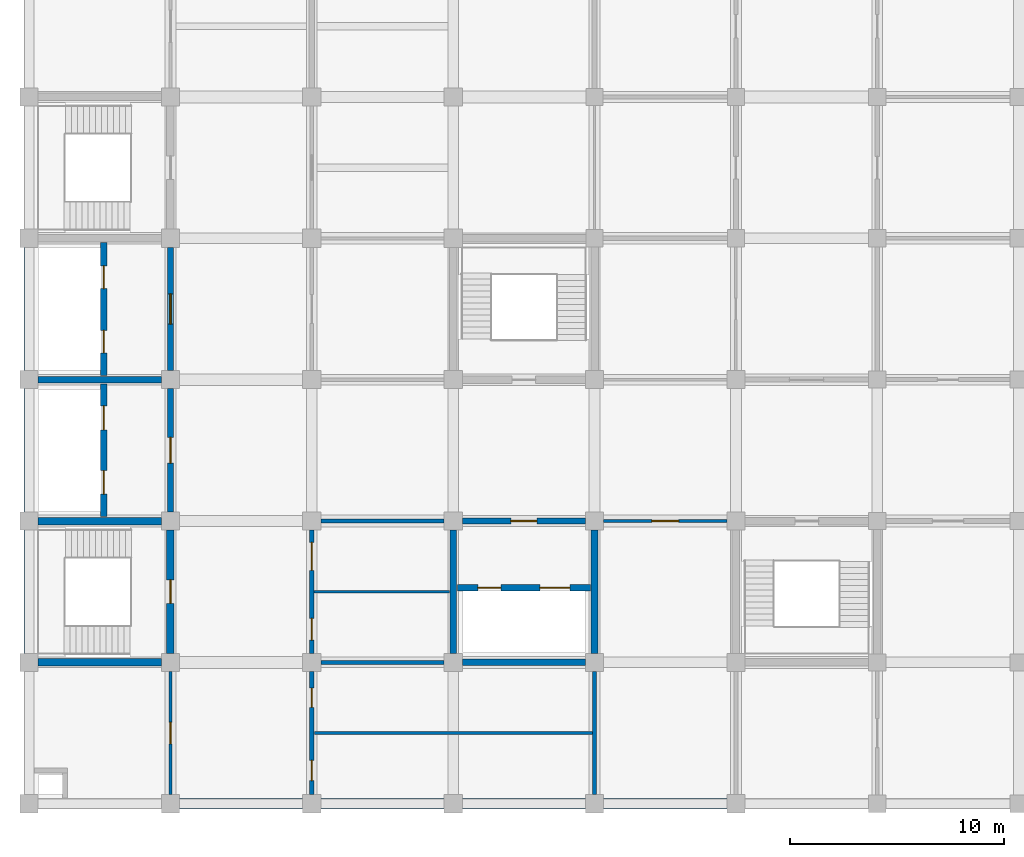
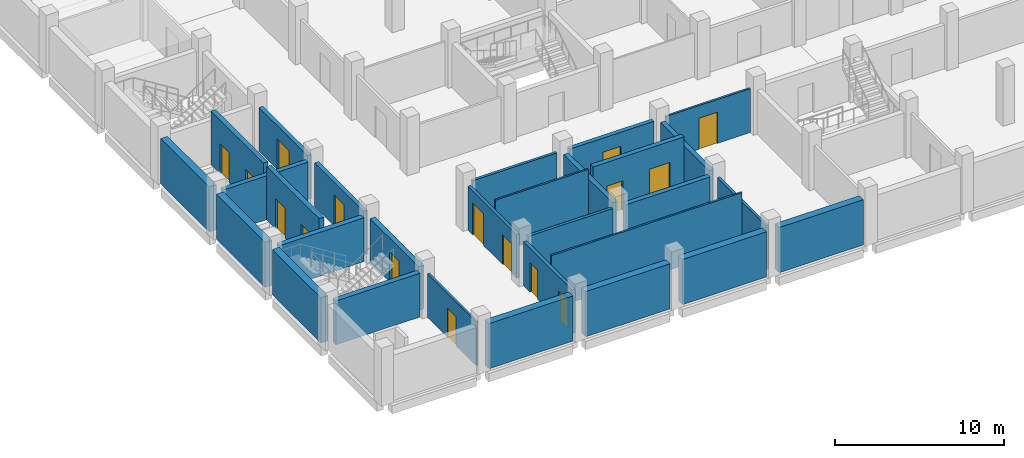
# One storey, part 14 of 25: 29 walls, 16 doors, 16 openings.
"""IFC4 building model written with IfcOpenShell, lengths in metres."""

from ifc_helpers import new_model, si_unit, direction, frame, frame_2d, origin, place, context, subcontext, project, spatial, rectangle, extrude, material, layer, layer_set, type_object, element, fill, save


model = new_model("IFC4")

# Units and contexts
model_context = context("Model", 3, precision=1e-05, world=origin(), true_north=direction((0.0, 1.0)))
body_context = subcontext(model_context, "Body", "Model", "MODEL_VIEW")
ifc_project = project(units=[si_unit("LENGTHUNIT", "METRE"), si_unit("AREAUNIT", "SQUARE_METRE"), si_unit("VOLUMEUNIT", "CUBIC_METRE"), si_unit("PLANEANGLEUNIT", "RADIAN"), si_unit("MASSUNIT", "GRAM", prefix="KILO")], contexts=[model_context])

# Site, building, storey
site_placement = place(None, origin())
site = spatial("IfcSite", under=ifc_project, at=site_placement, CompositionType="ELEMENT")
building_placement = place(site_placement, origin())
building = spatial("IfcBuilding", under=site, at=building_placement, Name="Rusizi Kubbe Research Institute", CompositionType="ELEMENT")
storey_placement = place(building_placement, frame((0.0, 0.0, 14.39990234375)))
storey = spatial("IfcBuildingStorey", under=building, at=storey_placement, Name="L03", CompositionType="ELEMENT", Elevation=14.39990234375)

# Walls
ifc_material_1 = material(Name="Concrete C45/55", Category="concrete")
ifc_layer_1 = layer(ifc_material_1, 0.35009765625)
ifc_layer_set_1 = layer_set([ifc_layer_1], Name="Concrete C45/55")
wall_type_1 = type_object("IfcWallType", Name="CRW-01", PredefinedType="SHEAR", material=ifc_layer_set_1)
for number, where, z_axis, x_axis, name in (
    (1, (0.425048828125, 6.60009765625, 0.0), (0.0, 0.0, 1.0), (1.0, 0.0, 0.0), "Stair Core Shear Wall ST1 L03 S"),
    (2, (0.425048828125, 13.199951171875, 0.0), (0.0, 0.0, 1.0), (1.0, 0.0, 0.0), "Stair Core Shear Wall ST1 L03 N"),
):
    element("IfcWall", number, at=place(storey_placement, frame(where, z_axis=z_axis, x_axis=x_axis)), inside=storey, type_object=wall_type_1, Name=name, PredefinedType="SHEAR", context=body_context, shape_type="SweptSolid", body=[
        extrude(rectangle(XDim=5.75, YDim=0.35009765625, at=frame_2d((2.875, 0.0))), origin(), (0.0, 0.0, 1.0), 3.16015625),
    ])

# Wall, opening, door
wall_1_placement = place(storey_placement, frame((6.60009765625, 7.02490234375, 0.0), z_axis=(0.0, 0.0, 1.0), x_axis=(0.0, 1.0, 0.0)))
wall_1 = element("IfcWall", 3, at=wall_1_placement, inside=storey, type_object=wall_type_1, Name="Stair Core Shear Wall ST1 L03 E", PredefinedType="SHEAR", context=body_context, shape_type="SweptSolid", body=[
    extrude(rectangle(XDim=5.75, YDim=0.35009765625, at=frame_2d((2.875, 0.0))), origin(), (0.0, 0.0, 1.0), 3.16015625),
])
opening_1_placement = place(wall_1_placement, frame((2.324951171875, 0.0, 0.0)))
opening_1 = element("IfcOpeningElement", 4, at=opening_1_placement, cuts=wall_1, Name="Opening D-01", PredefinedType="OPENING", context=body_context, shape_type="SweptSolid", body=[
    extrude(rectangle(XDim=1.10009765625, YDim=2.14990234375, at=frame_2d((0.550048828125, 1.074951171875))), frame((0.0, 0.18505859375, 0.0), z_axis=(0.0, -1.0, 0.0), x_axis=(1.0, 0.0, 0.0)), (0.0, 0.0, 1.0), 0.3701171875),
])
ifc_material_2 = material(Name="Fire-Rated Steel Frame and Acoustic Timber Leaf", Category="wood")
door_type_1 = type_object("IfcDoorType", Name="ID-STAIR-110", OperationType="NOTDEFINED", PredefinedType="DOOR", material=ifc_material_2)
door_1_placement = place(opening_1_placement, origin())
door_1 = element("IfcDoor", 5, at=door_1_placement, inside=storey, type_object=door_type_1, Name="Exit Stair Door ST1 L03", OperationType="SINGLE_SWING_LEFT", OverallHeight=2.14990234375, OverallWidth=1.10009765625, PredefinedType="DOOR", context=body_context, shape_type="SweptSolid", body=[
    extrude(rectangle(XDim=1.10009765625, YDim=2.14990234375, at=frame_2d((0.550048828125, 1.074951171875))), frame((0.0, 0.02490234375, 0.0), z_axis=(0.0, -1.0, 0.0), x_axis=(1.0, 0.0, 0.0)), (0.0, 0.0, 1.0), 0.050048828125),
])
fill(opening_1, door_1)

# Walls
ifc_material_3 = material(Name="Concrete C45/55", Category="concrete")
ifc_layer_2 = layer(ifc_material_3, 0.31494140625)
ifc_layer_set_2 = layer_set([ifc_layer_2], Name="Concrete C45/55")
wall_type_2 = type_object("IfcWallType", Name="CRW-02", PredefinedType="SHEAR", material=ifc_layer_set_2)
for number, where, z_axis, x_axis, name in (
    (6, (0.425048828125, 19.800048828125, 0.0), (0.0, 0.0, 1.0), (1.0, 0.0, 0.0), "Lift Core Divider Wall (0,2-3) L03"),
    (7, (20.22509765625, 6.60009765625, 0.0), (0.0, 0.0, 1.0), (1.0, 0.0, 0.0), "Lab Lift Core Wall S (3,1) L03"),
    (8, (19.800048828125, 7.02490234375, 0.0), (0.0, 0.0, 1.0), (0.0, 1.0, 0.0), "Lab Lift Core Wall W (3,1) L03"),
    (9, (26.39990234375, 7.02490234375, 0.0), (0.0, 0.0, 1.0), (0.0, 1.0, 0.0), "Lab Lift Core Wall E (3,1) L03"),
):
    element("IfcWall", number, at=place(storey_placement, frame(where, z_axis=z_axis, x_axis=x_axis)), inside=storey, type_object=wall_type_2, Name=name, PredefinedType="SHEAR", context=body_context, shape_type="SweptSolid", body=[
        extrude(rectangle(XDim=5.75, YDim=0.31494140625, at=frame_2d((2.875, 0.0))), origin(), (0.0, 0.0, 1.0), 3.16015625),
    ])

# Wall, openings, doors
wall_2_placement = place(storey_placement, frame((3.47998046875, 13.39990234375, 0.0), z_axis=(0.0, 0.0, 1.0), x_axis=(0.0, 1.0, 0.0)))
wall_2 = element("IfcWall", 10, at=wall_2_placement, inside=storey, type_object=wall_type_2, Name="Firefighting Lift Shaft Front Wall L03", PredefinedType="SHEAR", context=body_context, shape_type="SweptSolid", body=[
    extrude(rectangle(XDim=6.2001953125, YDim=0.31494140625, at=frame_2d((3.10009765625, 0.0))), origin(), (0.0, 0.0, 1.0), 3.860107421875),
])
opening_2_placement = place(wall_2_placement, frame((1.050048828125, 0.0, 0.0)))
opening_2 = element("IfcOpeningElement", 11, at=opening_2_placement, cuts=wall_2, Name="Opening LD-01", PredefinedType="OPENING", context=body_context, shape_type="SweptSolid", body=[
    extrude(rectangle(XDim=1.10009765625, YDim=2.14990234375, at=frame_2d((0.550048828125, 1.074951171875))), frame((0.0, 0.16748046875, 0.0), z_axis=(0.0, -1.0, 0.0), x_axis=(1.0, 0.0, 0.0)), (0.0, 0.0, 1.0), 0.3349609375),
])
opening_3_placement = place(wall_2_placement, frame((4.050048828125, 0.0, 0.0)))
opening_3 = element("IfcOpeningElement", 12, at=opening_3_placement, cuts=wall_2, Name="Opening LD-02", PredefinedType="OPENING", context=body_context, shape_type="SweptSolid", body=[
    extrude(rectangle(XDim=1.1201171875, YDim=2.14990234375, at=frame_2d((0.56005859375, 1.074951171875))), frame((0.0, 0.16748046875, 0.0), z_axis=(0.0, -1.0, 0.0), x_axis=(1.0, 0.0, 0.0)), (0.0, 0.0, 1.0), 0.3349609375),
])
ifc_material_4 = material(Name="Brushed Stainless Steel Sliding Door", Category="steel")
door_type_2 = type_object("IfcDoorType", Name="LD-01", OperationType="DOUBLE_DOOR_SLIDING", PredefinedType="USERDEFINED", material=ifc_material_4)
door_2_placement = place(opening_2_placement, origin())
door_2 = element("IfcDoor", 13, at=door_2_placement, inside=storey, type_object=door_type_2, Name="Lift Landing Sliding Door FL1 L03", ObjectType="SLIDING DOOR", OperationType="DOUBLE_DOOR_SLIDING", OverallHeight=2.14990234375, OverallWidth=1.10009765625, PredefinedType="USERDEFINED", context=body_context, shape_type="SweptSolid", body=[
    extrude(rectangle(XDim=1.10009765625, YDim=2.14990234375, at=frame_2d((0.550048828125, 1.074951171875))), frame((0.0, 0.02490234375, 0.0), z_axis=(0.0, -1.0, 0.0), x_axis=(1.0, 0.0, 0.0)), (0.0, 0.0, 1.0), 0.050048828125),
])
fill(opening_2, door_2)
ifc_material_5 = material(Name="Brushed Stainless Steel Sliding Door", Category="steel")
door_type_3 = type_object("IfcDoorType", Name="LD-02", OperationType="DOUBLE_DOOR_SLIDING", PredefinedType="USERDEFINED", material=ifc_material_5)
door_3_placement = place(opening_3_placement, origin())
door_3 = element("IfcDoor", 14, at=door_3_placement, inside=storey, type_object=door_type_3, Name="Lift Landing Sliding Door FL2 L03", ObjectType="SLIDING DOOR", OperationType="DOUBLE_DOOR_SLIDING", OverallHeight=2.14990234375, OverallWidth=1.1201171875, PredefinedType="USERDEFINED", context=body_context, shape_type="SweptSolid", body=[
    extrude(rectangle(XDim=1.1201171875, YDim=2.14990234375, at=frame_2d((0.56005859375, 1.074951171875))), frame((0.0, 0.02490234375, 0.0), z_axis=(0.0, -1.0, 0.0), x_axis=(1.0, 0.0, 0.0)), (0.0, 0.0, 1.0), 0.050048828125),
])
fill(opening_3, door_3)

wall_3_placement = place(storey_placement, frame((3.47998046875, 20.0, 0.0), z_axis=(0.0, 0.0, 1.0), x_axis=(0.0, 1.0, 0.0)))
wall_3 = element("IfcWall", 15, at=wall_3_placement, inside=storey, type_object=wall_type_2, Name="Passenger Lift Shaft Front Wall L03", PredefinedType="SHEAR", context=body_context, shape_type="SweptSolid", body=[
    extrude(rectangle(XDim=6.199951171875, YDim=0.31494140625, at=frame_2d((3.10009765625, 0.0))), origin(), (0.0, 0.0, 1.0), 3.860107421875),
])
opening_4_placement = place(wall_3_placement, frame((1.050048828125, 0.0, 0.0)))
opening_4 = element("IfcOpeningElement", 16, at=opening_4_placement, cuts=wall_3, Name="Opening LD-03", PredefinedType="OPENING", context=body_context, shape_type="SweptSolid", body=[
    extrude(rectangle(XDim=1.050048828125, YDim=2.14990234375, at=frame_2d((0.52490234375, 1.074951171875))), frame((0.0, 0.16748046875, 0.0), z_axis=(0.0, -1.0, 0.0), x_axis=(1.0, 0.0, 0.0)), (0.0, 0.0, 1.0), 0.3349609375),
])
opening_5_placement = place(wall_3_placement, frame((4.050048828125, 0.0, 0.0)))
opening_5 = element("IfcOpeningElement", 17, at=opening_5_placement, cuts=wall_3, Name="Opening LD-04", PredefinedType="OPENING", context=body_context, shape_type="SweptSolid", body=[
    extrude(rectangle(XDim=1.06005859375, YDim=2.14990234375, at=frame_2d((0.530029296875, 1.074951171875))), frame((0.0, 0.16748046875, 0.0), z_axis=(0.0, -1.0, 0.0), x_axis=(1.0, 0.0, 0.0)), (0.0, 0.0, 1.0), 0.3349609375),
])
ifc_material_6 = material(Name="Brushed Stainless Steel Sliding Door", Category="steel")
door_type_4 = type_object("IfcDoorType", Name="LD-03", OperationType="DOUBLE_DOOR_SLIDING", PredefinedType="USERDEFINED", material=ifc_material_6)
door_4_placement = place(opening_4_placement, origin())
door_4 = element("IfcDoor", 18, at=door_4_placement, inside=storey, type_object=door_type_4, Name="Lift Landing Sliding Door LP1 L03", ObjectType="SLIDING DOOR", OperationType="DOUBLE_DOOR_SLIDING", OverallHeight=2.14990234375, OverallWidth=1.050048828125, PredefinedType="USERDEFINED", context=body_context, shape_type="SweptSolid", body=[
    extrude(rectangle(XDim=1.050048828125, YDim=2.14990234375, at=frame_2d((0.52490234375, 1.074951171875))), frame((0.0, 0.02490234375, 0.0), z_axis=(0.0, -1.0, 0.0), x_axis=(1.0, 0.0, 0.0)), (0.0, 0.0, 1.0), 0.050048828125),
])
fill(opening_4, door_4)
ifc_material_7 = material(Name="Brushed Stainless Steel Sliding Door", Category="steel")
door_type_5 = type_object("IfcDoorType", Name="LD-04", OperationType="DOUBLE_DOOR_SLIDING", PredefinedType="USERDEFINED", material=ifc_material_7)
door_5_placement = place(opening_5_placement, origin())
door_5 = element("IfcDoor", 19, at=door_5_placement, inside=storey, type_object=door_type_5, Name="Lift Landing Sliding Door LP2 L03", ObjectType="SLIDING DOOR", OperationType="DOUBLE_DOOR_SLIDING", OverallHeight=2.14990234375, OverallWidth=1.06005859375, PredefinedType="USERDEFINED", context=body_context, shape_type="SweptSolid", body=[
    extrude(rectangle(XDim=1.06005859375, YDim=2.14990234375, at=frame_2d((0.530029296875, 1.074951171875))), frame((0.0, 0.02490234375, 0.0), z_axis=(0.0, -1.0, 0.0), x_axis=(1.0, 0.0, 0.0)), (0.0, 0.0, 1.0), 0.050048828125),
])
fill(opening_5, door_5)

wall_4_placement = place(storey_placement, frame((20.0, 10.080078125, 0.0), z_axis=(0.0, 0.0, 1.0), x_axis=(1.0, 0.0, 0.0)))
wall_4 = element("IfcWall", 20, at=wall_4_placement, inside=storey, type_object=wall_type_2, Name="Goods Lift Shaft Front Wall L03", PredefinedType="SHEAR", context=body_context, shape_type="SweptSolid", body=[
    extrude(rectangle(XDim=6.199951171875, YDim=0.31494140625, at=frame_2d((3.10009765625, 0.0))), origin(), (0.0, 0.0, 1.0), 3.860107421875),
])
opening_6_placement = place(wall_4_placement, frame((0.949951171875, 0.0, 0.0)))
opening_6 = element("IfcOpeningElement", 21, at=opening_6_placement, cuts=wall_4, Name="Opening LD-05", PredefinedType="OPENING", context=body_context, shape_type="SweptSolid", body=[
    extrude(rectangle(XDim=1.080078125, YDim=2.14990234375, at=frame_2d((0.5400390625, 1.074951171875))), frame((0.0, 0.16748046875, 0.0), z_axis=(0.0, -1.0, 0.0), x_axis=(1.0, 0.0, 0.0)), (0.0, 0.0, 1.0), 0.3349609375),
])
opening_7_placement = place(wall_4_placement, frame((3.85009765625, 0.0, 0.0)))
opening_7 = element("IfcOpeningElement", 22, at=opening_7_placement, cuts=wall_4, Name="Opening LD-06", PredefinedType="OPENING", context=body_context, shape_type="SweptSolid", body=[
    extrude(rectangle(XDim=1.39990234375, YDim=2.35009765625, at=frame_2d((0.699951171875, 1.175048828125))), frame((0.0, 0.16748046875, 0.0), z_axis=(0.0, -1.0, 0.0), x_axis=(1.0, 0.0, 0.0)), (0.0, 0.0, 1.0), 0.3349609375),
])
ifc_material_8 = material(Name="Brushed Stainless Steel Sliding Door", Category="steel")
door_type_6 = type_object("IfcDoorType", Name="LD-05", OperationType="DOUBLE_DOOR_SLIDING", PredefinedType="USERDEFINED", material=ifc_material_8)
door_6_placement = place(opening_6_placement, origin())
door_6 = element("IfcDoor", 23, at=door_6_placement, inside=storey, type_object=door_type_6, Name="Lift Landing Sliding Door LP3 L03", ObjectType="SLIDING DOOR", OperationType="DOUBLE_DOOR_SLIDING", OverallHeight=2.14990234375, OverallWidth=1.080078125, PredefinedType="USERDEFINED", context=body_context, shape_type="SweptSolid", body=[
    extrude(rectangle(XDim=1.080078125, YDim=2.14990234375, at=frame_2d((0.5400390625, 1.074951171875))), frame((0.0, 0.02490234375, 0.0), z_axis=(0.0, -1.0, 0.0), x_axis=(1.0, 0.0, 0.0)), (0.0, 0.0, 1.0), 0.050048828125),
])
fill(opening_6, door_6)
ifc_material_9 = material(Name="Brushed Stainless Steel Sliding Door", Category="steel")
door_type_7 = type_object("IfcDoorType", Name="LD-06", OperationType="DOUBLE_DOOR_SLIDING", PredefinedType="USERDEFINED", material=ifc_material_9)
door_7_placement = place(opening_7_placement, origin())
door_7 = element("IfcDoor", 24, at=door_7_placement, inside=storey, type_object=door_type_7, Name="Lift Landing Sliding Door LG1 L03", ObjectType="SLIDING DOOR", OperationType="DOUBLE_DOOR_SLIDING", OverallHeight=2.35009765625, OverallWidth=1.39990234375, PredefinedType="USERDEFINED", context=body_context, shape_type="SweptSolid", body=[
    extrude(rectangle(XDim=1.39990234375, YDim=2.35009765625, at=frame_2d((0.699951171875, 1.175048828125))), frame((0.0, 0.02490234375, 0.0), z_axis=(0.0, -1.0, 0.0), x_axis=(1.0, 0.0, 0.0)), (0.0, 0.0, 1.0), 0.050048828125),
])
fill(opening_7, door_7)

ifc_material_10 = material(Name="Concrete Blockwork Fire Partition", Category="masonry")
ifc_layer_3 = layer(ifc_material_10, 0.22509765625)
ifc_layer_set_3 = layer_set([ifc_layer_3], Name="Concrete Blockwork Fire Partition")
wall_type_3 = type_object("IfcWallType", Name="IW-01", PredefinedType="PARTITIONING", material=ifc_layer_set_3)
wall_5_placement = place(storey_placement, frame((13.199951171875, 0.425048828125, 0.0), z_axis=(0.0, 0.0, 1.0), x_axis=(0.0, 1.0, 0.0)))
wall_5 = element("IfcWall", 25, at=wall_5_placement, inside=storey, type_object=wall_type_3, Name="Sanitary Core West Corridor Wall L03", PredefinedType="PARTITIONING", context=body_context, shape_type="SweptSolid", body=[
    extrude(rectangle(XDim=5.75, YDim=0.22509765625, at=frame_2d((2.875, 0.0))), origin(), (0.0, 0.0, 1.0), 3.16015625),
])
opening_8_placement = place(wall_5_placement, frame((0.64990234375, 0.0, 0.0)))
opening_8 = element("IfcOpeningElement", 26, at=opening_8_placement, cuts=wall_5, Name="Opening D-06", PredefinedType="OPENING", context=body_context, shape_type="SweptSolid", body=[
    extrude(rectangle(XDim=0.949951171875, YDim=2.10009765625, at=frame_2d((0.47509765625, 1.050048828125))), frame((0.0, 0.12255859375, 0.0), z_axis=(0.0, -1.0, 0.0), x_axis=(1.0, 0.0, 0.0)), (0.0, 0.0, 1.0), 0.2451171875),
])
opening_9_placement = place(wall_5_placement, frame((4.074951171875, 0.0, 0.0)))
opening_9 = element("IfcOpeningElement", 27, at=opening_9_placement, cuts=wall_5, Name="Opening D-05", PredefinedType="OPENING", context=body_context, shape_type="SweptSolid", body=[
    extrude(rectangle(XDim=0.89990234375, YDim=2.10009765625, at=frame_2d((0.449951171875, 1.050048828125))), frame((0.0, 0.12255859375, 0.0), z_axis=(0.0, -1.0, 0.0), x_axis=(1.0, 0.0, 0.0)), (0.0, 0.0, 1.0), 0.2451171875),
])
ifc_material_11 = material(Name="Fire-Rated Steel Frame and Acoustic Timber Leaf", Category="wood")
door_type_8 = type_object("IfcDoorType", Name="ID-WC-900", OperationType="NOTDEFINED", PredefinedType="DOOR", material=ifc_material_11)
door_8_placement = place(opening_9_placement, origin())
door_8 = element("IfcDoor", 28, at=door_8_placement, inside=storey, type_object=door_type_8, Name="Door to Female Toilet Room (L03-WC-F)", OperationType="SINGLE_SWING_LEFT", OverallHeight=2.10009765625, OverallWidth=0.89990234375, PredefinedType="DOOR", context=body_context, shape_type="SweptSolid", body=[
    extrude(rectangle(XDim=0.89990234375, YDim=2.10009765625, at=frame_2d((0.449951171875, 1.050048828125))), frame((0.0, 0.02490234375, 0.0), z_axis=(0.0, -1.0, 0.0), x_axis=(1.0, 0.0, 0.0)), (0.0, 0.0, 1.0), 0.050048828125),
])
fill(opening_9, door_8)
ifc_material_12 = material(Name="Fire-Rated Steel Frame and Acoustic Timber Leaf", Category="wood")
door_type_9 = type_object("IfcDoorType", Name="ID-WC-950", OperationType="NOTDEFINED", PredefinedType="DOOR", material=ifc_material_12)
door_9_placement = place(opening_8_placement, origin())
door_9 = element("IfcDoor", 29, at=door_9_placement, inside=storey, type_object=door_type_9, Name="Door to Male Toilet Room (L03-WC-M)", OperationType="SINGLE_SWING_RIGHT", OverallHeight=2.10009765625, OverallWidth=0.949951171875, PredefinedType="DOOR", context=body_context, shape_type="SweptSolid", body=[
    extrude(rectangle(XDim=0.949951171875, YDim=2.10009765625, at=frame_2d((0.47509765625, 1.050048828125))), frame((0.0, 0.02490234375, 0.0), z_axis=(0.0, -1.0, 0.0), x_axis=(1.0, 0.0, 0.0)), (0.0, 0.0, 1.0), 0.050048828125),
])
fill(opening_8, door_9)

# Wall
ifc_material_13 = material(Name="Insulated Cleanroom Partition", Category="masonry")
ifc_layer_4 = layer(ifc_material_13, 0.195068359375)
ifc_layer_set_4 = layer_set([ifc_layer_4], Name="Insulated Cleanroom Partition")
wall_type_4 = type_object("IfcWallType", Name="IW-02", PredefinedType="PARTITIONING", material=ifc_layer_set_4)
wall_6_placement = place(storey_placement, frame((13.625, 6.60009765625, 0.0), z_axis=(0.0, 0.0, 1.0), x_axis=(1.0, 0.0, 0.0)))
element("IfcWall", 30, at=wall_6_placement, inside=storey, type_object=wall_type_4, Name="Sanitary Core North Divider Wall L03", PredefinedType="PARTITIONING", context=body_context, shape_type="SweptSolid", body=[
    extrude(rectangle(XDim=5.75, YDim=0.195068359375, at=frame_2d((2.875, 0.0))), origin(), (0.0, 0.0, 1.0), 3.16015625),
])

# Wall, openings, doors
wall_7_placement = place(storey_placement, frame((13.199951171875, 7.02490234375, 0.0), z_axis=(0.0, 0.0, 1.0), x_axis=(0.0, 1.0, 0.0)))
wall_7 = element("IfcWall", 31, at=wall_7_placement, inside=storey, type_object=wall_type_4, Name="Accessible WC and Store West Wall L03", PredefinedType="PARTITIONING", context=body_context, shape_type="SweptSolid", body=[
    extrude(rectangle(XDim=5.75, YDim=0.195068359375, at=frame_2d((2.875, 0.0))), origin(), (0.0, 0.0, 1.0), 3.16015625),
])
opening_10_placement = place(wall_7_placement, frame((0.614990234375, 0.0, 0.0)))
opening_10 = element("IfcOpeningElement", 32, at=opening_10_placement, cuts=wall_7, Name="Opening D-07", PredefinedType="OPENING", context=body_context, shape_type="SweptSolid", body=[
    extrude(rectangle(XDim=1.02001953125, YDim=2.14990234375, at=frame_2d((0.510009765625, 1.074951171875))), frame((0.0, 0.107421875, 0.0), z_axis=(0.0, -1.0, 0.0), x_axis=(1.0, 0.0, 0.0)), (0.0, 0.0, 1.0), 0.215087890625),
])
opening_11_placement = place(wall_7_placement, frame((3.875, 0.0, 0.0)))
opening_11 = element("IfcOpeningElement", 33, at=opening_11_placement, cuts=wall_7, Name="Opening D-14", PredefinedType="OPENING", context=body_context, shape_type="SweptSolid", body=[
    extrude(rectangle(XDim=1.300048828125, YDim=2.300048828125, at=frame_2d((0.64990234375, 1.14990234375))), frame((0.0, 0.107421875, 0.0), z_axis=(0.0, -1.0, 0.0), x_axis=(1.0, 0.0, 0.0)), (0.0, 0.0, 1.0), 0.215087890625),
])
ifc_material_14 = material(Name="Fire-Rated Steel Frame and Acoustic Timber Leaf", Category="wood")
door_type_10 = type_object("IfcDoorType", Name="ID-LAB-130", OperationType="NOTDEFINED", PredefinedType="DOOR", material=ifc_material_14)
door_10_placement = place(opening_11_placement, origin())
door_10 = element("IfcDoor", 34, at=door_10_placement, inside=storey, type_object=door_type_10, Name="Door to Laboratory Reagent Store (L03-STR-01)", OperationType="SINGLE_SWING_RIGHT", OverallHeight=2.300048828125, OverallWidth=1.300048828125, PredefinedType="DOOR", context=body_context, shape_type="SweptSolid", body=[
    extrude(rectangle(XDim=1.300048828125, YDim=2.300048828125, at=frame_2d((0.64990234375, 1.14990234375))), frame((0.0, 0.02490234375, 0.0), z_axis=(0.0, -1.0, 0.0), x_axis=(1.0, 0.0, 0.0)), (0.0, 0.0, 1.0), 0.050048828125),
])
fill(opening_11, door_10)
ifc_material_15 = material(Name="Fire-Rated Steel Frame and Acoustic Timber Leaf", Category="wood")
door_type_11 = type_object("IfcDoorType", Name="ID-WC-ACC", OperationType="NOTDEFINED", PredefinedType="DOOR", material=ifc_material_15)
door_11_placement = place(opening_10_placement, origin())
door_11 = element("IfcDoor", 35, at=door_11_placement, inside=storey, type_object=door_type_11, Name="Door to Accessible Toilet Room (L03-WC-ACC)", OperationType="SINGLE_SWING_LEFT", OverallHeight=2.14990234375, OverallWidth=1.02001953125, PredefinedType="DOOR", context=body_context, shape_type="SweptSolid", body=[
    extrude(rectangle(XDim=1.02001953125, YDim=2.14990234375, at=frame_2d((0.510009765625, 1.074951171875))), frame((0.0, 0.02490234375, 0.0), z_axis=(0.0, -1.0, 0.0), x_axis=(1.0, 0.0, 0.0)), (0.0, 0.0, 1.0), 0.050048828125),
])
fill(opening_10, door_11)

# Walls
ifc_material_16 = material(Name="Acoustic Laboratory Partition", Category="masonry")
ifc_layer_5 = layer(ifc_material_16, 0.175048828125)
ifc_layer_set_5 = layer_set([ifc_layer_5], Name="Acoustic Laboratory Partition")
wall_type_5 = type_object("IfcWallType", Name="IW-03", PredefinedType="PARTITIONING", material=ifc_layer_set_5)
for number, where, z_axis, x_axis, name in (
    (36, (26.39990234375, 0.425048828125, 0.0), (0.0, 0.0, 1.0), (0.0, 1.0, 0.0), "Sanitary Core East Enclosing Wall L03"),
    (37, (13.625, 13.199951171875, 0.0), (0.0, 0.0, 1.0), (1.0, 0.0, 0.0), "Reagent Store North Corridor Wall L03"),
):
    element("IfcWall", number, at=place(storey_placement, frame(where, z_axis=z_axis, x_axis=x_axis)), inside=storey, type_object=wall_type_5, Name=name, PredefinedType="PARTITIONING", context=body_context, shape_type="SweptSolid", body=[
        extrude(rectangle(XDim=5.75, YDim=0.175048828125, at=frame_2d((2.875, 0.0))), origin(), (0.0, 0.0, 1.0), 3.16015625),
    ])

# Wall, opening, door
ifc_material_17 = material(Name="Write-up Glazed Acoustic Partition", Category="masonry")
ifc_layer_6 = layer(ifc_material_17, 0.139892578125)
ifc_layer_set_6 = layer_set([ifc_layer_6], Name="Write-up Glazed Acoustic Partition")
wall_type_6 = type_object("IfcWallType", Name="IW-05", PredefinedType="PARTITIONING", material=ifc_layer_set_6)
wall_8_placement = place(storey_placement, frame((6.60009765625, 0.425048828125, 0.0), z_axis=(0.0, 0.0, 1.0), x_axis=(0.0, 1.0, 0.0)))
wall_8 = element("IfcWall", 38, at=wall_8_placement, inside=storey, type_object=wall_type_6, Name="Interior Partition Wall L03 V1-0", PredefinedType="PARTITIONING", context=body_context, shape_type="SweptSolid", body=[
    extrude(rectangle(XDim=5.75, YDim=0.139892578125, at=frame_2d((2.875, 0.0))), origin(), (0.0, 0.0, 1.0), 3.16015625),
])
opening_12_placement = place(wall_8_placement, frame((2.375, 0.0, 0.0)))
opening_12 = element("IfcOpeningElement", 39, at=opening_12_placement, cuts=wall_8, Name="Opening D-04", PredefinedType="OPENING", context=body_context, shape_type="SweptSolid", body=[
    extrude(rectangle(XDim=1.0, YDim=2.10009765625, at=frame_2d((0.5, 1.050048828125))), frame((0.0, 0.079833984375, 0.0), z_axis=(0.0, -1.0, 0.0), x_axis=(1.0, 0.0, 0.0)), (0.0, 0.0, 1.0), 0.159912109375),
])
ifc_material_18 = material(Name="Fire-Rated Steel Frame and Acoustic Timber Leaf", Category="wood")
door_type_12 = type_object("IfcDoorType", Name="ID-MEP-100", OperationType="NOTDEFINED", PredefinedType="DOOR", material=ifc_material_18)
door_12_placement = place(opening_12_placement, origin())
door_12 = element("IfcDoor", 40, at=door_12_placement, inside=storey, type_object=door_type_12, Name="Door to Service Spine Utility Riser Room (L03-MEP-01)", OperationType="SINGLE_SWING_RIGHT", OverallHeight=2.10009765625, OverallWidth=1.0, PredefinedType="DOOR", context=body_context, shape_type="SweptSolid", body=[
    extrude(rectangle(XDim=1.0, YDim=2.10009765625, at=frame_2d((0.5, 1.050048828125))), frame((0.0, 0.02490234375, 0.0), z_axis=(0.0, -1.0, 0.0), x_axis=(1.0, 0.0, 0.0)), (0.0, 0.0, 1.0), 0.050048828125),
])
fill(opening_12, door_12)

wall_9_placement = place(storey_placement, frame((26.824951171875, 13.199951171875, 0.0), z_axis=(0.0, 0.0, 1.0), x_axis=(1.0, 0.0, 0.0)))
wall_9 = element("IfcWall", 41, at=wall_9_placement, inside=storey, type_object=wall_type_6, Name="Interior Partition Wall L03 H4-2", PredefinedType="PARTITIONING", context=body_context, shape_type="SweptSolid", body=[
    extrude(rectangle(XDim=5.75, YDim=0.139892578125, at=frame_2d((2.875, 0.0))), origin(), (0.0, 0.0, 1.0), 3.16015625),
])
opening_13_placement = place(wall_9_placement, frame((2.25, 0.0, 0.0)))
opening_13 = element("IfcOpeningElement", 42, at=opening_13_placement, cuts=wall_9, Name="Opening D-15", PredefinedType="OPENING", context=body_context, shape_type="SweptSolid", body=[
    extrude(rectangle(XDim=1.25, YDim=2.25, at=frame_2d((0.625, 1.125))), frame((0.0, 0.079833984375, 0.0), z_axis=(0.0, -1.0, 0.0), x_axis=(1.0, 0.0, 0.0)), (0.0, 0.0, 1.0), 0.159912109375),
])
ifc_material_19 = material(Name="Fire-Rated Steel Frame and Acoustic Timber Leaf", Category="wood")
door_type_13 = type_object("IfcDoorType", Name="ID-LAB-125", OperationType="NOTDEFINED", PredefinedType="DOOR", material=ifc_material_19)
door_13_placement = place(opening_13_placement, origin())
door_13 = element("IfcDoor", 43, at=door_13_placement, inside=storey, type_object=door_type_13, Name="Door to Clean Room Process Suite (L03-EWS-01)", OperationType="SINGLE_SWING_LEFT", OverallHeight=2.25, OverallWidth=1.25, PredefinedType="DOOR", context=body_context, shape_type="SweptSolid", body=[
    extrude(rectangle(XDim=1.25, YDim=2.25, at=frame_2d((0.625, 1.125))), frame((0.0, 0.02490234375, 0.0), z_axis=(0.0, -1.0, 0.0), x_axis=(1.0, 0.0, 0.0)), (0.0, 0.0, 1.0), 0.050048828125),
])
fill(opening_13, door_13)

# Walls
ifc_material_20 = material(Name="Sanitary Wet-Wall Partition", Category="masonry")
ifc_layer_7 = layer(ifc_material_20, 0.125)
ifc_layer_set_7 = layer_set([ifc_layer_7], Name="Sanitary Wet-Wall Partition")
wall_type_7 = type_object("IfcWallType", Name="IW-06", PredefinedType="PARTITIONING", material=ifc_layer_set_7)
wall_10_placement = place(storey_placement, frame((13.3173828125, 3.300048828125, 0.0), z_axis=(0.0, 0.0, 1.0), x_axis=(1.0, 0.0, 0.0)))
element("IfcWall", 44, at=wall_10_placement, inside=storey, type_object=wall_type_7, Name="Sanitary Divider Wall L03-1", PredefinedType="PARTITIONING", context=body_context, shape_type="SweptSolid", body=[
    extrude(rectangle(XDim=12.990234375, YDim=0.125, at=frame_2d((6.4951171875, 0.0))), origin(), (0.0, 0.0, 1.0), 3.860107421875),
])
wall_11_placement = place(storey_placement, frame((13.302490234375, 9.89990234375, 0.0), z_axis=(0.0, 0.0, 1.0), x_axis=(1.0, 0.0, 0.0)))
element("IfcWall", 45, at=wall_11_placement, inside=storey, type_object=wall_type_7, Name="Sanitary Divider Wall L03-2", PredefinedType="PARTITIONING", context=body_context, shape_type="SweptSolid", body=[
    extrude(rectangle(XDim=6.3349609375, YDim=0.125, at=frame_2d((3.16748046875, 0.0))), origin(), (0.0, 0.0, 1.0), 3.860107421875),
])
ifc_material_21 = material(Name="Concrete C40/50", Category="concrete")
ifc_layer_8 = layer(ifc_material_21, 0.47998046875)
ifc_layer_set_8 = layer_set([ifc_layer_8], Name="Concrete C40/50")
wall_type_8 = type_object("IfcWallType", Name="PW-01", PredefinedType="SOLIDWALL", material=ifc_layer_set_8)
for number, where, z_axis, x_axis, name in (
    (46, (0.0, 7.02490234375, 0.0), (0.0, 0.0, 1.0), (0.0, 1.0, 0.0), "Blind Party Wall L03 V0-1"),
    (47, (0.0, 13.625, 0.0), (0.0, 0.0, 1.0), (0.0, 1.0, 0.0), "Blind Party Wall L03 V0-2"),
    (48, (0.0, 20.22509765625, 0.0), (0.0, 0.0, 1.0), (0.0, 1.0, 0.0), "Blind Party Wall L03 V0-3"),
    (49, (7.02490234375, 0.0, 0.0), (0.0, 0.0, 1.0), (1.0, 0.0, 0.0), "Blind Party Wall L03 H1-0"),
    (50, (13.625, 0.0, 0.0), (0.0, 0.0, 1.0), (1.0, 0.0, 0.0), "Blind Party Wall L03 H2-0"),
    (51, (20.22509765625, 0.0, 0.0), (0.0, 0.0, 1.0), (1.0, 0.0, 0.0), "Blind Party Wall L03 H3-0"),
    (52, (26.824951171875, 0.0, 0.0), (0.0, 0.0, 1.0), (1.0, 0.0, 0.0), "Blind Party Wall L03 H4-0"),
):
    element("IfcWall", number, at=place(storey_placement, frame(where, z_axis=z_axis, x_axis=x_axis)), inside=storey, type_object=wall_type_8, Name=name, PredefinedType="SOLIDWALL", context=body_context, shape_type="SweptSolid", body=[
        extrude(rectangle(XDim=5.75, YDim=0.47998046875, at=frame_2d((2.875, 0.0))), origin(), (0.0, 0.0, 1.0), 3.260009765625),
    ])

# Wall, opening, door
ifc_material_22 = material(Name="Concrete C40/50", Category="concrete")
ifc_layer_9 = layer(ifc_material_22, 0.27490234375)
ifc_layer_set_9 = layer_set([ifc_layer_9], Name="Concrete C40/50")
wall_type_9 = type_object("IfcWallType", Name="SHW-01", PredefinedType="SHEAR", material=ifc_layer_set_9)
wall_12_placement = place(storey_placement, frame((6.60009765625, 13.625, 0.0), z_axis=(0.0, 0.0, 1.0), x_axis=(0.0, 1.0, 0.0)))
wall_12 = element("IfcWall", 53, at=wall_12_placement, inside=storey, type_object=wall_type_9, Name="Firefighting Lobby Wall L03", PredefinedType="SHEAR", context=body_context, shape_type="SweptSolid", body=[
    extrude(rectangle(XDim=5.75, YDim=0.27490234375, at=frame_2d((2.875, 0.0))), origin(), (0.0, 0.0, 1.0), 3.16015625),
])
opening_14_placement = place(wall_12_placement, frame((2.27490234375, 0.0, 0.0)))
opening_14 = element("IfcOpeningElement", 54, at=opening_14_placement, cuts=wall_12, Name="Opening D-03", PredefinedType="OPENING", context=body_context, shape_type="SweptSolid", body=[
    extrude(rectangle(XDim=1.199951171875, YDim=2.25, at=frame_2d((0.60009765625, 1.125))), frame((0.0, 0.1474609375, 0.0), z_axis=(0.0, -1.0, 0.0), x_axis=(1.0, 0.0, 0.0)), (0.0, 0.0, 1.0), 0.294921875),
])
ifc_material_23 = material(Name="Fire-Rated Steel Frame and Acoustic Timber Leaf", Category="wood")
door_type_14 = type_object("IfcDoorType", Name="ID-FF-120", OperationType="NOTDEFINED", PredefinedType="DOOR", material=ifc_material_23)
door_14_placement = place(opening_14_placement, origin())
door_14 = element("IfcDoor", 55, at=door_14_placement, inside=storey, type_object=door_type_14, Name="Door to Firefighting Lift Lobby (L03-FFL-01)", OperationType="SINGLE_SWING_LEFT", OverallHeight=2.25, OverallWidth=1.199951171875, PredefinedType="DOOR", context=body_context, shape_type="SweptSolid", body=[
    extrude(rectangle(XDim=1.199951171875, YDim=2.25, at=frame_2d((0.60009765625, 1.125))), frame((0.0, 0.02490234375, 0.0), z_axis=(0.0, -1.0, 0.0), x_axis=(1.0, 0.0, 0.0)), (0.0, 0.0, 1.0), 0.050048828125),
])
fill(opening_14, door_14)

wall_13_placement = place(storey_placement, frame((6.60009765625, 20.22509765625, 0.0), z_axis=(0.0, 0.0, 1.0), x_axis=(0.0, 1.0, 0.0)))
wall_13 = element("IfcWall", 56, at=wall_13_placement, inside=storey, type_object=wall_type_9, Name="Passenger Lift Lobby Wall L03", PredefinedType="SHEAR", context=body_context, shape_type="SweptSolid", body=[
    extrude(rectangle(XDim=5.75, YDim=0.27490234375, at=frame_2d((2.875, 0.0))), origin(), (0.0, 0.0, 1.0), 3.16015625),
])
opening_15_placement = place(wall_13_placement, frame((2.1650390625, 0.0, 0.0)))
opening_15 = element("IfcOpeningElement", 57, at=opening_15_placement, cuts=wall_13, Name="Opening D-22", PredefinedType="OPENING", context=body_context, shape_type="SweptSolid", body=[
    extrude(rectangle(XDim=1.419921875, YDim=2.199951171875, at=frame_2d((0.7099609375, 1.10009765625))), frame((0.0, 0.1474609375, 0.0), z_axis=(0.0, -1.0, 0.0), x_axis=(1.0, 0.0, 0.0)), (0.0, 0.0, 1.0), 0.294921875),
])
ifc_material_24 = material(Name="Fire-Rated Steel Frame and Acoustic Timber Leaf", Category="wood")
door_type_15 = type_object("IfcDoorType", Name="ID-STR-142", OperationType="DOUBLE_DOOR_SINGLE_SWING", PredefinedType="DOOR", material=ifc_material_24)
door_15_placement = place(opening_15_placement, origin())
door_15 = element("IfcDoor", 58, at=door_15_placement, inside=storey, type_object=door_type_15, Name="Door to Passenger Lift Lobby (L03-LBY-01)", OperationType="DOUBLE_DOOR_SINGLE_SWING", OverallHeight=2.199951171875, OverallWidth=1.419921875, PredefinedType="DOOR", context=body_context, shape_type="SweptSolid", body=[
    extrude(rectangle(XDim=1.419921875, YDim=2.199951171875, at=frame_2d((0.7099609375, 1.10009765625))), frame((0.0, 0.02490234375, 0.0), z_axis=(0.0, -1.0, 0.0), x_axis=(1.0, 0.0, 0.0)), (0.0, 0.0, 1.0), 0.050048828125),
])
fill(opening_15, door_15)

wall_14_placement = place(storey_placement, frame((20.22509765625, 13.199951171875, 0.0), z_axis=(0.0, 0.0, 1.0), x_axis=(1.0, 0.0, 0.0)))
wall_14 = element("IfcWall", 59, at=wall_14_placement, inside=storey, type_object=wall_type_9, Name="Goods Lift Lobby Wall L03", PredefinedType="SHEAR", context=body_context, shape_type="SweptSolid", body=[
    extrude(rectangle(XDim=5.75, YDim=0.27490234375, at=frame_2d((2.875, 0.0))), origin(), (0.0, 0.0, 1.0), 3.16015625),
])
opening_16_placement = place(wall_14_placement, frame((2.264892578125, 0.0, 0.0)))
opening_16 = element("IfcOpeningElement", 60, at=opening_16_placement, cuts=wall_14, Name="Opening D-21", PredefinedType="OPENING", context=body_context, shape_type="SweptSolid", body=[
    extrude(rectangle(XDim=1.219970703125, YDim=2.14990234375, at=frame_2d((0.60986328125, 1.074951171875))), frame((0.0, 0.1474609375, 0.0), z_axis=(0.0, -1.0, 0.0), x_axis=(1.0, 0.0, 0.0)), (0.0, 0.0, 1.0), 0.294921875),
])
ifc_material_25 = material(Name="Fire-Rated Steel Frame and Acoustic Timber Leaf", Category="wood")
door_type_16 = type_object("IfcDoorType", Name="ID-STR-122", OperationType="NOTDEFINED", PredefinedType="DOOR", material=ifc_material_25)
door_16_placement = place(opening_16_placement, origin())
door_16 = element("IfcDoor", 61, at=door_16_placement, inside=storey, type_object=door_type_16, Name="Door to Laboratory Goods Lift Lobby (L03-GLB-01)", OperationType="SINGLE_SWING_RIGHT", OverallHeight=2.14990234375, OverallWidth=1.219970703125, PredefinedType="DOOR", context=body_context, shape_type="SweptSolid", body=[
    extrude(rectangle(XDim=1.219970703125, YDim=2.14990234375, at=frame_2d((0.60986328125, 1.074951171875))), frame((0.0, 0.02490234375, 0.0), z_axis=(0.0, -1.0, 0.0), x_axis=(1.0, 0.0, 0.0)), (0.0, 0.0, 1.0), 0.050048828125),
])
fill(opening_16, door_16)

save(model, "model.ifc")
